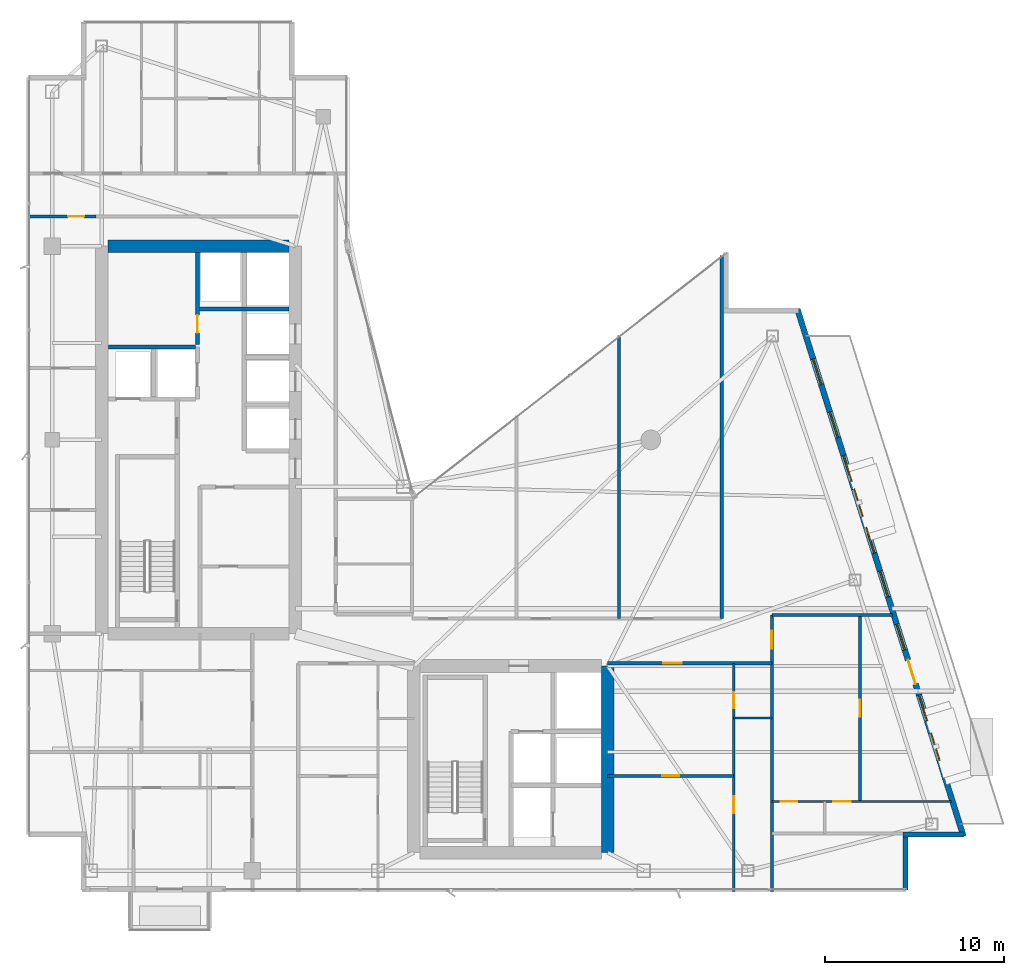
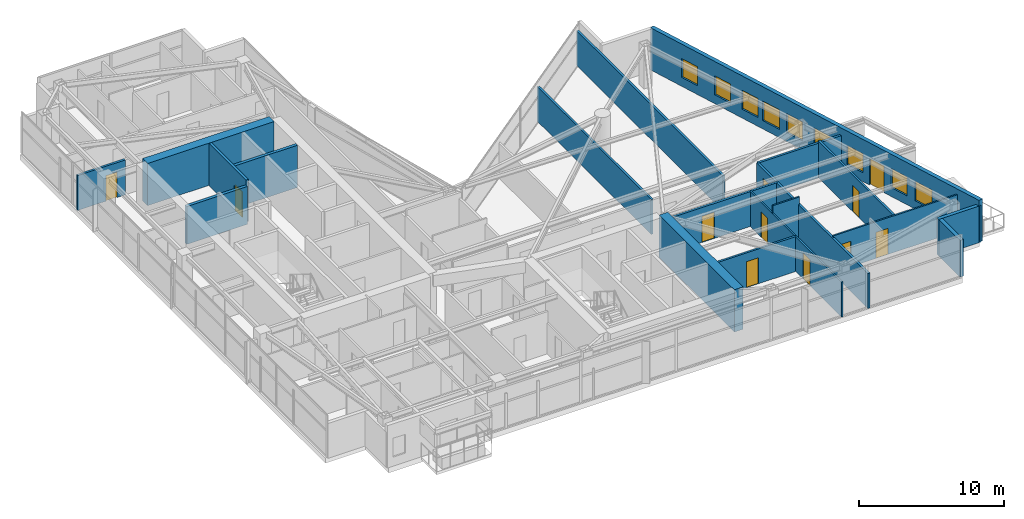
# One storey, part 25 of 29: 19 walls, 11 doors, 9 windows, 20 openings.
"""IFC4 building model written with IfcOpenShell, lengths in metres."""

from ifc_helpers import new_model, si_unit, direction, frame, frame_2d, origin, place, context, subcontext, project, spatial, rectangle, extrude, material, layer, layer_set, type_object, element, fill, save


model = new_model("IFC4")

# Units and contexts
model_context = context("Model", 3, precision=1e-05, world=origin(), true_north=direction((0.0, 1.0)))
body_context = subcontext(model_context, "Body", "Model", "MODEL_VIEW")
ifc_project = project(units=[si_unit("LENGTHUNIT", "METRE"), si_unit("AREAUNIT", "SQUARE_METRE"), si_unit("VOLUMEUNIT", "CUBIC_METRE"), si_unit("PLANEANGLEUNIT", "RADIAN"), si_unit("MASSUNIT", "GRAM", prefix="KILO")], contexts=[model_context])

# Site, building, storey
site_placement = place(None, origin())
site = spatial("IfcSite", under=ifc_project, at=site_placement, CompositionType="ELEMENT")
building_placement = place(site_placement, origin())
building = spatial("IfcBuilding", under=site, at=building_placement, Name="Calvorn Quay Hotel", CompositionType="ELEMENT")
storey_placement = place(building_placement, frame((0.0, 0.0, 199.60009765625)))
storey = spatial("IfcBuildingStorey", under=building, at=storey_placement, Name="L49", CompositionType="ELEMENT", Elevation=199.60009765625)

# Walls
ifc_material_1 = material(Name="Concrete C45", Category="concrete")
ifc_layer_1 = layer(ifc_material_1, 0.699951171875)
ifc_layer_set_1 = layer_set([ifc_layer_1], Name="WL-CORE-700")
wall_type_1 = type_object("IfcWallType", Name="WL-CORE-700", PredefinedType="SHEAR", material=ifc_layer_set_1)
wall_1_placement = place(storey_placement, frame((4.550048828125, 38.39990234375, 0.0), z_axis=(0.0, 0.0, 1.0), x_axis=(1.0, 0.0, 0.0)))
element("IfcWall", 1, at=wall_1_placement, inside=storey, type_object=wall_type_1, Name="West Core Shear Wall N (L49)", PredefinedType="SHEAR", context=body_context, shape_type="SweptSolid", body=[
    extrude(rectangle(XDim=10.099853515625, YDim=0.699951171875, at=frame_2d((5.0498046875, 0.0))), origin(), (0.0, 0.0, 1.0), 3.559814453125),
])
wall_2_placement = place(storey_placement, frame((32.39990234375, 4.60009765625, 0.0), z_axis=(0.0, 0.0, 1.0), x_axis=(0.0, 1.0, 0.0)))
element("IfcWall", 2, at=wall_2_placement, inside=storey, type_object=wall_type_1, Name="East Core Shear Wall E (L49)", PredefinedType="SHEAR", context=body_context, shape_type="SweptSolid", body=[
    extrude(rectangle(XDim=10.39990234375, YDim=0.699951171875, at=frame_2d((5.199951171875, 0.0))), origin(), (0.0, 0.0, 1.0), 3.559814453125),
])

# Wall, opening, door
ifc_material_2 = material(Name="Acoustic Fireboard Steel-Stud Partition", Category="steel")
ifc_layer_2 = layer(ifc_material_2, 0.179931640625)
ifc_layer_set_2 = layer_set([ifc_layer_2], Name="WL-CORR-FIRE-180")
wall_type_2 = type_object("IfcWallType", Name="WL-CORR-FIRE-180", PredefinedType="PARTITIONING", material=ifc_layer_set_2)
wall_3_placement = place(storey_placement, frame((0.080078125, 40.050048828125, 0.0), z_axis=(0.0, 0.0, 1.0), x_axis=(1.0, 0.0, 0.0)))
wall_3 = element("IfcWall", 3, at=wall_3_placement, inside=storey, type_object=wall_type_2, Name="Partition Wall L49-WL-WBAY-N-DOOR", PredefinedType="PARTITIONING", context=body_context, shape_type="SweptSolid", body=[
    extrude(rectangle(XDim=3.7998046875, YDim=0.179931640625, at=frame_2d((1.89990234375, 0.0))), origin(), (0.0, 0.0, 1.0), 2.93994140625),
])
opening_1_placement = place(wall_3_placement, frame((2.25, 0.0, 0.0)))
opening_1 = element("IfcOpeningElement", 4, at=opening_1_placement, cuts=wall_3, Name="Opening D-L49-WBN", PredefinedType="OPENING", context=body_context, shape_type="SweptSolid", body=[
    extrude(rectangle(XDim=0.89990234375, YDim=2.14990234375, at=frame_2d((0.449951171875, 1.074951171875))), frame((0.0, 0.099853515625, 0.0), z_axis=(0.0, -1.0, 0.0), x_axis=(1.0, 0.0, 0.0)), (0.0, 0.0, 1.0), 0.199951171875),
])
ifc_material_3 = material(Name="Moisture-Sealed Timber En-Suite Door", Category="wood")
door_type_1 = type_object("IfcDoorType", Name="DR-ENSUITE-900", OperationType="NOTDEFINED", PredefinedType="DOOR", material=ifc_material_3)
door_1_placement = place(opening_1_placement, origin())
door_1 = element("IfcDoor", 5, at=door_1_placement, inside=storey, type_object=door_type_1, Name="West North Bay Door (L49)", OperationType="SINGLE_SWING_LEFT", OverallHeight=2.14990234375, OverallWidth=0.89990234375, PredefinedType="DOOR", context=body_context, shape_type="SweptSolid", body=[
    extrude(rectangle(XDim=0.89990234375, YDim=2.14990234375, at=frame_2d((0.449951171875, 1.074951171875))), frame((0.0, 0.02490234375, 0.0), z_axis=(0.0, -1.0, 0.0), x_axis=(1.0, 0.0, 0.0)), (0.0, 0.0, 1.0), 0.050048828125),
])
fill(opening_1, door_1)

wall_4_placement = place(storey_placement, frame((32.39990234375, 15.14990234375, 0.0), z_axis=(0.0, 0.0, 1.0), x_axis=(1.0, 0.0, 0.0)))
wall_4 = element("IfcWall", 6, at=wall_4_placement, inside=storey, type_object=wall_type_2, Name="Partition Wall L49-WL-CORR-SE-S", PredefinedType="PARTITIONING", context=body_context, shape_type="SweptSolid", body=[
    extrude(rectangle(XDim=9.150146484375, YDim=0.179931640625, at=frame_2d((4.5751953125, 0.0))), origin(), (0.0, 0.0, 1.0), 2.93994140625),
])
opening_2_placement = place(wall_4_placement, frame((3.10009765625, 0.0, 0.0)))
opening_2 = element("IfcOpeningElement", 7, at=opening_2_placement, cuts=wall_4, Name="Opening D-L49-U06", PredefinedType="OPENING", context=body_context, shape_type="SweptSolid", body=[
    extrude(rectangle(XDim=1.02001953125, YDim=2.199951171875, at=frame_2d((0.510009765625, 1.10009765625))), frame((0.0, 0.099853515625, 0.0), z_axis=(0.0, -1.0, 0.0), x_axis=(1.0, 0.0, 0.0)), (0.0, 0.0, 1.0), 0.199951171875),
])
ifc_material_4 = material(Name="Solid-Core Walnut Veneer Hotel Fire Door")
door_type_2 = type_object("IfcDoorType", Name="DR-GUEST-ENTRY-1020", OperationType="NOTDEFINED", PredefinedType="DOOR", material=ifc_material_4)
door_2_placement = place(opening_2_placement, origin())
door_2 = element("IfcDoor", 8, at=door_2_placement, inside=storey, type_object=door_type_2, Name="South-East Unit Door U06 (L49)", OperationType="SINGLE_SWING_LEFT", OverallHeight=2.199951171875, OverallWidth=1.02001953125, PredefinedType="DOOR", context=body_context, shape_type="SweptSolid", body=[
    extrude(rectangle(XDim=1.02001953125, YDim=2.199951171875, at=frame_2d((0.510009765625, 1.10009765625))), frame((0.0, 0.02490234375, 0.0), z_axis=(0.0, -1.0, 0.0), x_axis=(1.0, 0.0, 0.0)), (0.0, 0.0, 1.0), 0.050048828125),
])
fill(opening_2, door_2)

# Walls
wall_5_placement = place(storey_placement, frame((38.75, 17.64990234375, 0.0), z_axis=(0.0, 0.0, 1.0), x_axis=(0.0, 1.0, 0.0)))
element("IfcWall", 9, at=wall_5_placement, inside=storey, type_object=wall_type_2, Name="Partition Wall L49-WL-NE-END-E", PredefinedType="PARTITIONING", context=body_context, shape_type="SweptSolid", body=[
    extrude(rectangle(XDim=20.22998046875, YDim=0.179931640625, at=frame_2d((10.114990234375, 0.0))), origin(), (0.0, 0.0, 1.0), 2.93994140625),
])
wall_6_placement = place(storey_placement, frame((41.550048828125, 17.85009765625, 0.0), z_axis=(0.0, 0.0, 1.0), x_axis=(1.0, 0.0, 0.0)))
element("IfcWall", 10, at=wall_6_placement, inside=storey, type_object=wall_type_2, Name="Partition Wall L49-WL-TIP-DIV", PredefinedType="PARTITIONING", context=body_context, shape_type="SweptSolid", body=[
    extrude(rectangle(XDim=6.72998046875, YDim=0.179931640625, at=frame_2d((3.364990234375, 0.0))), origin(), (0.0, 0.0, 1.0), 2.93994140625),
])

# Wall, opening, door
wall_7_placement = place(storey_placement, frame((41.550048828125, 2.43994140625, 0.0), z_axis=(0.0, 0.0, 1.0), x_axis=(0.0, 1.0, 0.0)))
wall_7 = element("IfcWall", 11, at=wall_7_placement, inside=storey, type_object=wall_type_2, Name="Partition Wall L49-WL-CORR-TIP-E1", PredefinedType="PARTITIONING", context=body_context, shape_type="SweptSolid", body=[
    extrude(rectangle(XDim=15.41015625, YDim=0.179931640625, at=frame_2d((7.705078125, 0.0))), origin(), (0.0, 0.0, 1.0), 2.93994140625),
])
opening_3_placement = place(wall_7_placement, frame((13.510009765625, 0.0, 0.0)))
opening_3 = element("IfcOpeningElement", 12, at=opening_3_placement, cuts=wall_7, Name="Opening D-L49-U07", PredefinedType="OPENING", context=body_context, shape_type="SweptSolid", body=[
    extrude(rectangle(XDim=1.02001953125, YDim=2.199951171875, at=frame_2d((0.510009765625, 1.10009765625))), frame((0.0, 0.099853515625, 0.0), z_axis=(0.0, -1.0, 0.0), x_axis=(1.0, 0.0, 0.0)), (0.0, 0.0, 1.0), 0.199951171875),
])
door_3_placement = place(opening_3_placement, origin())
door_3 = element("IfcDoor", 13, at=door_3_placement, inside=storey, type_object=door_type_2, Name="Terrace Suite Door U07 (L49)", OperationType="SINGLE_SWING_LEFT", OverallHeight=2.199951171875, OverallWidth=1.02001953125, PredefinedType="DOOR", context=body_context, shape_type="SweptSolid", body=[
    extrude(rectangle(XDim=1.02001953125, YDim=2.199951171875, at=frame_2d((0.510009765625, 1.10009765625))), frame((0.0, 0.02490234375, 0.0), z_axis=(0.0, -1.0, 0.0), x_axis=(1.0, 0.0, 0.0)), (0.0, 0.0, 1.0), 0.050048828125),
])
fill(opening_3, door_3)

# Wall
ifc_material_5 = material(Name="Moisture-Resistant Tile-Backed Partition")
ifc_layer_3 = layer(ifc_material_5, 0.125)
ifc_layer_set_3 = layer_set([ifc_layer_3], Name="WL-ENSUITE-125")
wall_type_3 = type_object("IfcWallType", Name="WL-ENSUITE-125", PredefinedType="PARTITIONING", material=ifc_layer_set_3)
wall_8_placement = place(storey_placement, frame((39.419921875, 12.10009765625, 0.0), z_axis=(0.0, 0.0, 1.0), x_axis=(1.0, 0.0, 0.0)))
element("IfcWall", 14, at=wall_8_placement, inside=storey, type_object=wall_type_3, Name="Partition Wall L49-WL-U06-BDV", PredefinedType="PARTITIONING", context=body_context, shape_type="SweptSolid", body=[
    extrude(rectangle(XDim=2.130126953125, YDim=0.125, at=frame_2d((1.06494140625, 0.0))), origin(), (0.0, 0.0, 1.0), 3.559814453125),
])

# Wall, openings, doors
wall_9_placement = place(storey_placement, frame((39.419921875, 2.43994140625, 0.0), z_axis=(0.0, 0.0, 1.0), x_axis=(0.0, 1.0, 0.0)))
wall_9 = element("IfcWall", 15, at=wall_9_placement, inside=storey, type_object=wall_type_3, Name="Partition Wall L49-WL-U06-BV", PredefinedType="PARTITIONING", context=body_context, shape_type="SweptSolid", body=[
    extrude(rectangle(XDim=12.7099609375, YDim=0.125, at=frame_2d((6.35498046875, 0.0))), origin(), (0.0, 0.0, 1.0), 2.93994140625),
])
opening_4_placement = place(wall_9_placement, frame((4.35009765625, 0.0, 0.0)))
opening_4 = element("IfcOpeningElement", 16, at=opening_4_placement, cuts=wall_9, Name="Opening D-L49-S06", PredefinedType="OPENING", context=body_context, shape_type="SweptSolid", body=[
    extrude(rectangle(XDim=0.9599609375, YDim=2.199951171875, at=frame_2d((0.47998046875, 1.10009765625))), frame((0.0, 0.072509765625, 0.0), z_axis=(0.0, -1.0, 0.0), x_axis=(1.0, 0.0, 0.0)), (0.0, 0.0, 1.0), 0.14501953125),
])
opening_5_placement = place(wall_9_placement, frame((10.2099609375, 0.0, 0.0)))
opening_5 = element("IfcOpeningElement", 17, at=opening_5_placement, cuts=wall_9, Name="Opening D-L49-E06", PredefinedType="OPENING", context=body_context, shape_type="SweptSolid", body=[
    extrude(rectangle(XDim=0.89990234375, YDim=2.14990234375, at=frame_2d((0.449951171875, 1.074951171875))), frame((0.0, 0.072509765625, 0.0), z_axis=(0.0, -1.0, 0.0), x_axis=(1.0, 0.0, 0.0)), (0.0, 0.0, 1.0), 0.14501953125),
])
door_4_placement = place(opening_5_placement, origin())
door_4 = element("IfcDoor", 18, at=door_4_placement, inside=storey, type_object=door_type_1, Name="En-Suite Door 06", OperationType="SINGLE_SWING_RIGHT", OverallHeight=2.14990234375, OverallWidth=0.89990234375, PredefinedType="DOOR", context=body_context, shape_type="SweptSolid", body=[
    extrude(rectangle(XDim=0.89990234375, YDim=2.14990234375, at=frame_2d((0.449951171875, 1.074951171875))), frame((0.0, 0.02490234375, 0.0), z_axis=(0.0, -1.0, 0.0), x_axis=(1.0, 0.0, 0.0)), (0.0, 0.0, 1.0), 0.050048828125),
])
fill(opening_5, door_4)
ifc_material_6 = material(Name="Solid Timber Internal Suite Door", Category="wood")
door_type_3 = type_object("IfcDoorType", Name="DR-SUITE-INT-960", OperationType="NOTDEFINED", PredefinedType="DOOR", material=ifc_material_6)
door_5_placement = place(opening_4_placement, origin())
door_5 = element("IfcDoor", 19, at=door_5_placement, inside=storey, type_object=door_type_3, Name="Executive Study Door 06", OperationType="SINGLE_SWING_LEFT", OverallHeight=2.199951171875, OverallWidth=0.9599609375, PredefinedType="DOOR", context=body_context, shape_type="SweptSolid", body=[
    extrude(rectangle(XDim=0.9599609375, YDim=2.199951171875, at=frame_2d((0.47998046875, 1.10009765625))), frame((0.0, 0.02490234375, 0.0), z_axis=(0.0, -1.0, 0.0), x_axis=(1.0, 0.0, 0.0)), (0.0, 0.0, 1.0), 0.050048828125),
])
fill(opening_4, door_5)

wall_10_placement = place(storey_placement, frame((41.550048828125, 7.449951171875, 0.0), z_axis=(0.0, 0.0, 1.0), x_axis=(1.0, 0.0, 0.0)))
wall_10 = element("IfcWall", 20, at=wall_10_placement, inside=storey, type_object=wall_type_3, Name="Partition Wall L49-WL-U07-BH", PredefinedType="PARTITIONING", context=body_context, shape_type="SweptSolid", body=[
    extrude(rectangle(XDim=10.010009765625, YDim=0.125, at=frame_2d((5.0048828125, 0.0))), origin(), (0.0, 0.0, 1.0), 3.08984375),
])
opening_6_placement = place(wall_10_placement, frame((0.5, 0.0, 0.0)))
opening_6 = element("IfcOpeningElement", 21, at=opening_6_placement, cuts=wall_10, Name="Opening D-L49-E07", PredefinedType="OPENING", context=body_context, shape_type="SweptSolid", body=[
    extrude(rectangle(XDim=0.89990234375, YDim=2.14990234375, at=frame_2d((0.449951171875, 1.074951171875))), frame((0.0, 0.072509765625, 0.0), z_axis=(0.0, -1.0, 0.0), x_axis=(1.0, 0.0, 0.0)), (0.0, 0.0, 1.0), 0.14501953125),
])
opening_7_placement = place(wall_10_placement, frame((3.419921875, 0.0, 0.0)))
opening_7 = element("IfcOpeningElement", 22, at=opening_7_placement, cuts=wall_10, Name="Opening D-L49-S07", PredefinedType="OPENING", context=body_context, shape_type="SweptSolid", body=[
    extrude(rectangle(XDim=0.9599609375, YDim=2.199951171875, at=frame_2d((0.47998046875, 1.10009765625))), frame((0.0, 0.072509765625, 0.0), z_axis=(0.0, -1.0, 0.0), x_axis=(1.0, 0.0, 0.0)), (0.0, 0.0, 1.0), 0.14501953125),
])
door_6_placement = place(opening_6_placement, origin())
door_6 = element("IfcDoor", 23, at=door_6_placement, inside=storey, type_object=door_type_1, Name="En-Suite Door 07", OperationType="SINGLE_SWING_LEFT", OverallHeight=2.14990234375, OverallWidth=0.89990234375, PredefinedType="DOOR", context=body_context, shape_type="SweptSolid", body=[
    extrude(rectangle(XDim=0.89990234375, YDim=2.14990234375, at=frame_2d((0.449951171875, 1.074951171875))), frame((0.0, 0.02490234375, 0.0), z_axis=(0.0, -1.0, 0.0), x_axis=(1.0, 0.0, 0.0)), (0.0, 0.0, 1.0), 0.050048828125),
])
fill(opening_6, door_6)
door_7_placement = place(opening_7_placement, origin())
door_7 = element("IfcDoor", 24, at=door_7_placement, inside=storey, type_object=door_type_3, Name="Executive Study Door 07", OperationType="SINGLE_SWING_RIGHT", OverallHeight=2.199951171875, OverallWidth=0.9599609375, PredefinedType="DOOR", context=body_context, shape_type="SweptSolid", body=[
    extrude(rectangle(XDim=0.9599609375, YDim=2.199951171875, at=frame_2d((0.47998046875, 1.10009765625))), frame((0.0, 0.02490234375, 0.0), z_axis=(0.0, -1.0, 0.0), x_axis=(1.0, 0.0, 0.0)), (0.0, 0.0, 1.0), 0.050048828125),
])
fill(opening_7, door_7)

# Walls
ifc_material_7 = material(Name="Concrete C40", Category="concrete")
ifc_layer_4 = layer(ifc_material_7, 0.320068359375)
ifc_layer_set_4 = layer_set([ifc_layer_4], Name="WL-EXT-SPANDREL-320")
wall_type_4 = type_object("IfcWallType", Name="WL-EXT-SPANDREL-320", PredefinedType="SOLIDWALL", material=ifc_layer_set_4)
wall_11_placement = place(storey_placement, frame((49.0, 2.52001953125, 0.0), z_axis=(0.0, 0.0, 1.0), x_axis=(0.0, 1.0, 0.0)))
element("IfcWall", 25, at=wall_11_placement, inside=storey, type_object=wall_type_4, Name="Notched Corner Spandrel L49-SE1", PredefinedType="SOLIDWALL", context=body_context, shape_type="SweptSolid", body=[
    extrude(rectangle(XDim=2.93994140625, YDim=0.280029296875, at=frame_2d((1.469970703125, 0.0))), origin(), (0.0, 0.0, 1.0), 3.08984375),
])
wall_12_placement = place(storey_placement, frame((48.860107421875, 5.60009765625, 0.0), z_axis=(0.0, 0.0, 1.0), x_axis=(1.0, 0.0, 0.0)))
element("IfcWall", 26, at=wall_12_placement, inside=storey, type_object=wall_type_4, Name="Notched Corner Spandrel L49-SE2", PredefinedType="SOLIDWALL", context=body_context, shape_type="SweptSolid", body=[
    extrude(rectangle(XDim=3.3798828125, YDim=0.280029296875, at=frame_2d((1.68994140625, 0.0))), origin(), (0.0, 0.0, 1.0), 3.08984375),
])

# Wall, openings, door, windows
wall_13_placement = place(storey_placement, frame((52.22998046875, 5.5048828125, 0.0), z_axis=(0.0, 0.0, 1.0), x_axis=(-0.300509063924, 0.953778958931, 0.0)))
wall_13 = element("IfcWall", 27, at=wall_13_placement, inside=storey, type_object=wall_type_4, Name="East Stepped Waterfront Exterior Wall (L49)", PredefinedType="SOLIDWALL", context=body_context, shape_type="SweptSolid", body=[
    extrude(rectangle(XDim=30.814453125, YDim=0.320068359375, at=frame_2d((15.4072265625, 0.0))), origin(), (0.0, 0.0, 1.0), 3.559814453125),
])
opening_8_placement = place(wall_13_placement, frame((8.89990234375, 0.0, 0.0)))
opening_8 = element("IfcOpeningElement", 28, at=opening_8_placement, cuts=wall_13, Name="Opening DTR-L49", PredefinedType="OPENING", context=body_context, shape_type="SweptSolid", body=[
    extrude(rectangle(XDim=1.39990234375, YDim=2.25, at=frame_2d((0.699951171875, 1.125))), frame((0.0, 0.169921875, 0.0), z_axis=(0.0, -1.0, 0.0), x_axis=(1.0, 0.0, 0.0)), (0.0, 0.0, 1.0), 0.340087890625),
])
opening_9_placement = place(wall_13_placement, frame((4.43701171875, 0.0, 0.699951171875)))
opening_9 = element("IfcOpeningElement", 29, at=opening_9_placement, cuts=wall_13, Name="Opening WHD-L49-1", PredefinedType="OPENING", context=body_context, shape_type="SweptSolid", body=[
    extrude(rectangle(XDim=1.60009765625, YDim=1.64990234375, at=frame_2d((0.800048828125, 0.824951171875))), frame((0.0, 0.169921875, 0.0), z_axis=(0.0, -1.0, 0.0), x_axis=(1.0, 0.0, 0.0)), (0.0, 0.0, 1.0), 0.340087890625),
])
opening_10_placement = place(wall_13_placement, frame((18.696044921875, 0.0, 0.699951171875)))
opening_10 = element("IfcOpeningElement", 30, at=opening_10_placement, cuts=wall_13, Name="Opening WHD-L49-2", PredefinedType="OPENING", context=body_context, shape_type="SweptSolid", body=[
    extrude(rectangle(XDim=1.60009765625, YDim=1.64990234375, at=frame_2d((0.800048828125, 0.824951171875))), frame((0.0, 0.169921875, 0.0), z_axis=(0.0, -1.0, 0.0), x_axis=(1.0, 0.0, 0.0)), (0.0, 0.0, 1.0), 0.340087890625),
])
opening_11_placement = place(wall_13_placement, frame((6.75, 0.0, 0.75)))
opening_11 = element("IfcOpeningElement", 31, at=opening_11_placement, cuts=wall_13, Name="Opening WG-L49-E1", PredefinedType="OPENING", context=body_context, shape_type="SweptSolid", body=[
    extrude(rectangle(XDim=1.5, YDim=1.60009765625, at=frame_2d((0.75, 0.800048828125))), frame((0.0, 0.169921875, 0.0), z_axis=(0.0, -1.0, 0.0), x_axis=(1.0, 0.0, 0.0)), (0.0, 0.0, 1.0), 0.340087890625),
])
opening_12_placement = place(wall_13_placement, frame((10.89990234375, 0.0, 0.75)))
opening_12 = element("IfcOpeningElement", 32, at=opening_12_placement, cuts=wall_13, Name="Opening WG-L49-E2", PredefinedType="OPENING", context=body_context, shape_type="SweptSolid", body=[
    extrude(rectangle(XDim=1.5, YDim=1.60009765625, at=frame_2d((0.75, 0.800048828125))), frame((0.0, 0.169921875, 0.0), z_axis=(0.0, -1.0, 0.0), x_axis=(1.0, 0.0, 0.0)), (0.0, 0.0, 1.0), 0.340087890625),
])
opening_13_placement = place(wall_13_placement, frame((14.0, 0.0, 0.75)))
opening_13 = element("IfcOpeningElement", 33, at=opening_13_placement, cuts=wall_13, Name="Opening WG-L49-E3", PredefinedType="OPENING", context=body_context, shape_type="SweptSolid", body=[
    extrude(rectangle(XDim=1.5, YDim=1.60009765625, at=frame_2d((0.75, 0.800048828125))), frame((0.0, 0.169921875, 0.0), z_axis=(0.0, -1.0, 0.0), x_axis=(1.0, 0.0, 0.0)), (0.0, 0.0, 1.0), 0.340087890625),
])
opening_14_placement = place(wall_13_placement, frame((16.550048828125, 0.0, 0.75)))
opening_14 = element("IfcOpeningElement", 34, at=opening_14_placement, cuts=wall_13, Name="Opening WG-L49-E4", PredefinedType="OPENING", context=body_context, shape_type="SweptSolid", body=[
    extrude(rectangle(XDim=1.5, YDim=1.60009765625, at=frame_2d((0.75, 0.800048828125))), frame((0.0, 0.169921875, 0.0), z_axis=(0.0, -1.0, 0.0), x_axis=(1.0, 0.0, 0.0)), (0.0, 0.0, 1.0), 0.340087890625),
])
opening_15_placement = place(wall_13_placement, frame((20.75, 0.0, 0.75)))
opening_15 = element("IfcOpeningElement", 35, at=opening_15_placement, cuts=wall_13, Name="Opening WG-L49-E5", PredefinedType="OPENING", context=body_context, shape_type="SweptSolid", body=[
    extrude(rectangle(XDim=1.5, YDim=1.60009765625, at=frame_2d((0.75, 0.800048828125))), frame((0.0, 0.169921875, 0.0), z_axis=(0.0, -1.0, 0.0), x_axis=(1.0, 0.0, 0.0)), (0.0, 0.0, 1.0), 0.340087890625),
])
opening_16_placement = place(wall_13_placement, frame((23.300048828125, 0.0, 0.75)))
opening_16 = element("IfcOpeningElement", 36, at=opening_16_placement, cuts=wall_13, Name="Opening WG-L49-E6", PredefinedType="OPENING", context=body_context, shape_type="SweptSolid", body=[
    extrude(rectangle(XDim=1.5, YDim=1.60009765625, at=frame_2d((0.75, 0.800048828125))), frame((0.0, 0.169921875, 0.0), z_axis=(0.0, -1.0, 0.0), x_axis=(1.0, 0.0, 0.0)), (0.0, 0.0, 1.0), 0.340087890625),
])
opening_17_placement = place(wall_13_placement, frame((26.39990234375, 0.0, 0.75)))
opening_17 = element("IfcOpeningElement", 37, at=opening_17_placement, cuts=wall_13, Name="Opening WG-L49-E7", PredefinedType="OPENING", context=body_context, shape_type="SweptSolid", body=[
    extrude(rectangle(XDim=1.5, YDim=1.60009765625, at=frame_2d((0.75, 0.800048828125))), frame((0.0, 0.169921875, 0.0), z_axis=(0.0, -1.0, 0.0), x_axis=(1.0, 0.0, 0.0)), (0.0, 0.0, 1.0), 0.340087890625),
])
ifc_material_8 = material(Name="Typhoon-Rated Low-E Aluminium Terrace Door", Category="aluminium")
door_type_4 = type_object("IfcDoorType", Name="DR-BALCONY-GLZ-1400", OperationType="NOTDEFINED", PredefinedType="DOOR", material=ifc_material_8)
door_8_placement = place(opening_8_placement, origin())
door_8 = element("IfcDoor", 38, at=door_8_placement, inside=storey, type_object=door_type_4, Name="Sawtooth Setback Terrace Door (L49)", OperationType="SINGLE_SWING_RIGHT", OverallHeight=2.25, OverallWidth=1.39990234375, PredefinedType="DOOR", context=body_context, shape_type="SweptSolid", body=[
    extrude(rectangle(XDim=1.39990234375, YDim=2.25, at=frame_2d((0.699951171875, 1.125))), frame((0.0, 0.02490234375, 0.0), z_axis=(0.0, -1.0, 0.0), x_axis=(1.0, 0.0, 0.0)), (0.0, 0.0, 1.0), 0.050048828125),
])
fill(opening_8, door_8)
ifc_material_9 = material(Name="Champagne-Bronze Aluminium Low-E Window", Category="aluminium")
window_type_1 = type_object("IfcWindowType", Name="WIN-GUEST-SIDE-1600x2100", PartitioningType="SINGLE_PANEL", PredefinedType="WINDOW", material=ifc_material_9)
window_1_placement = place(opening_9_placement, origin())
window_1 = element("IfcWindow", 39, at=window_1_placement, inside=storey, type_object=window_type_1, Name="Bay Hood Window L49-HOOD-1", OverallHeight=1.64990234375, OverallWidth=1.60009765625, PartitioningType="SINGLE_PANEL", PredefinedType="WINDOW", context=body_context, shape_type="SweptSolid", body=[
    extrude(rectangle(XDim=1.60009765625, YDim=1.64990234375, at=frame_2d((0.800048828125, 0.824951171875))), frame((0.0, 0.030029296875, 0.0), z_axis=(0.0, -1.0, 0.0), x_axis=(1.0, 0.0, 0.0)), (0.0, 0.0, 1.0), 0.06005859375),
])
fill(opening_9, window_1)
window_2_placement = place(opening_10_placement, origin())
window_2 = element("IfcWindow", 40, at=window_2_placement, inside=storey, type_object=window_type_1, Name="Bay Hood Window L49-HOOD-3", OverallHeight=1.64990234375, OverallWidth=1.60009765625, PartitioningType="SINGLE_PANEL", PredefinedType="WINDOW", context=body_context, shape_type="SweptSolid", body=[
    extrude(rectangle(XDim=1.60009765625, YDim=1.64990234375, at=frame_2d((0.800048828125, 0.824951171875))), frame((0.0, 0.030029296875, 0.0), z_axis=(0.0, -1.0, 0.0), x_axis=(1.0, 0.0, 0.0)), (0.0, 0.0, 1.0), 0.06005859375),
])
fill(opening_10, window_2)
ifc_material_10 = material(Name="Self-Closing Class B Fire Window")
window_type_2 = type_object("IfcWindowType", Name="WIN-REFUGE-1500x1600", PartitioningType="SINGLE_PANEL", PredefinedType="WINDOW", material=ifc_material_10)
window_3_placement = place(opening_11_placement, origin())
window_3 = element("IfcWindow", 41, at=window_3_placement, inside=storey, type_object=window_type_2, Name="East Facade Window L49-E1", OverallHeight=1.60009765625, OverallWidth=1.5, PartitioningType="SINGLE_PANEL", PredefinedType="WINDOW", context=body_context, shape_type="SweptSolid", body=[
    extrude(rectangle(XDim=1.5, YDim=1.60009765625, at=frame_2d((0.75, 0.800048828125))), frame((0.0, 0.030029296875, 0.0), z_axis=(0.0, -1.0, 0.0), x_axis=(1.0, 0.0, 0.0)), (0.0, 0.0, 1.0), 0.06005859375),
])
fill(opening_11, window_3)
window_4_placement = place(opening_12_placement, origin())
window_4 = element("IfcWindow", 42, at=window_4_placement, inside=storey, type_object=window_type_2, Name="East Facade Window L49-E2", OverallHeight=1.60009765625, OverallWidth=1.5, PartitioningType="SINGLE_PANEL", PredefinedType="WINDOW", context=body_context, shape_type="SweptSolid", body=[
    extrude(rectangle(XDim=1.5, YDim=1.60009765625, at=frame_2d((0.75, 0.800048828125))), frame((0.0, 0.030029296875, 0.0), z_axis=(0.0, -1.0, 0.0), x_axis=(1.0, 0.0, 0.0)), (0.0, 0.0, 1.0), 0.06005859375),
])
fill(opening_12, window_4)
window_5_placement = place(opening_13_placement, origin())
window_5 = element("IfcWindow", 43, at=window_5_placement, inside=storey, type_object=window_type_2, Name="East Facade Window L49-E3", OverallHeight=1.60009765625, OverallWidth=1.5, PartitioningType="SINGLE_PANEL", PredefinedType="WINDOW", context=body_context, shape_type="SweptSolid", body=[
    extrude(rectangle(XDim=1.5, YDim=1.60009765625, at=frame_2d((0.75, 0.800048828125))), frame((0.0, 0.030029296875, 0.0), z_axis=(0.0, -1.0, 0.0), x_axis=(1.0, 0.0, 0.0)), (0.0, 0.0, 1.0), 0.06005859375),
])
fill(opening_13, window_5)
window_6_placement = place(opening_14_placement, origin())
window_6 = element("IfcWindow", 44, at=window_6_placement, inside=storey, type_object=window_type_2, Name="East Facade Window L49-E4", OverallHeight=1.60009765625, OverallWidth=1.5, PartitioningType="SINGLE_PANEL", PredefinedType="WINDOW", context=body_context, shape_type="SweptSolid", body=[
    extrude(rectangle(XDim=1.5, YDim=1.60009765625, at=frame_2d((0.75, 0.800048828125))), frame((0.0, 0.030029296875, 0.0), z_axis=(0.0, -1.0, 0.0), x_axis=(1.0, 0.0, 0.0)), (0.0, 0.0, 1.0), 0.06005859375),
])
fill(opening_14, window_6)
window_7_placement = place(opening_15_placement, origin())
window_7 = element("IfcWindow", 45, at=window_7_placement, inside=storey, type_object=window_type_2, Name="East Facade Window L49-E5", OverallHeight=1.60009765625, OverallWidth=1.5, PartitioningType="SINGLE_PANEL", PredefinedType="WINDOW", context=body_context, shape_type="SweptSolid", body=[
    extrude(rectangle(XDim=1.5, YDim=1.60009765625, at=frame_2d((0.75, 0.800048828125))), frame((0.0, 0.030029296875, 0.0), z_axis=(0.0, -1.0, 0.0), x_axis=(1.0, 0.0, 0.0)), (0.0, 0.0, 1.0), 0.06005859375),
])
fill(opening_15, window_7)
window_8_placement = place(opening_16_placement, origin())
window_8 = element("IfcWindow", 46, at=window_8_placement, inside=storey, type_object=window_type_2, Name="East Facade Window L49-E6", OverallHeight=1.60009765625, OverallWidth=1.5, PartitioningType="SINGLE_PANEL", PredefinedType="WINDOW", context=body_context, shape_type="SweptSolid", body=[
    extrude(rectangle(XDim=1.5, YDim=1.60009765625, at=frame_2d((0.75, 0.800048828125))), frame((0.0, 0.030029296875, 0.0), z_axis=(0.0, -1.0, 0.0), x_axis=(1.0, 0.0, 0.0)), (0.0, 0.0, 1.0), 0.06005859375),
])
fill(opening_16, window_8)
window_9_placement = place(opening_17_placement, origin())
window_9 = element("IfcWindow", 47, at=window_9_placement, inside=storey, type_object=window_type_2, Name="East Facade Window L49-E7", OverallHeight=1.60009765625, OverallWidth=1.5, PartitioningType="SINGLE_PANEL", PredefinedType="WINDOW", context=body_context, shape_type="SweptSolid", body=[
    extrude(rectangle(XDim=1.5, YDim=1.60009765625, at=frame_2d((0.75, 0.800048828125))), frame((0.0, 0.030029296875, 0.0), z_axis=(0.0, -1.0, 0.0), x_axis=(1.0, 0.0, 0.0)), (0.0, 0.0, 1.0), 0.06005859375),
])
fill(opening_17, window_9)

# Wall, opening, door
ifc_material_11 = material(Name="Double-Stud Acoustic Gypsum Partition")
ifc_layer_5 = layer(ifc_material_11, 0.159912109375)
ifc_layer_set_5 = layer_set([ifc_layer_5], Name="WL-INTERSUITE-160")
wall_type_5 = type_object("IfcWallType", Name="WL-INTERSUITE-160", PredefinedType="PARTITIONING", material=ifc_layer_set_5)
wall_14_placement = place(storey_placement, frame((32.39990234375, 8.8798828125, 0.0), z_axis=(0.0, 0.0, 1.0), x_axis=(1.0, 0.0, 0.0)))
wall_14 = element("IfcWall", 48, at=wall_14_placement, inside=storey, type_object=wall_type_5, Name="Partition Wall L49-WL-U06-MSP", PredefinedType="PARTITIONING", context=body_context, shape_type="SweptSolid", body=[
    extrude(rectangle(XDim=7.02001953125, YDim=0.159912109375, at=frame_2d((3.510009765625, 0.0))), origin(), (0.0, 0.0, 1.0), 2.93994140625),
])
opening_18_placement = place(wall_14_placement, frame((3.030029296875, 0.0, 0.0)))
opening_18 = element("IfcOpeningElement", 49, at=opening_18_placement, cuts=wall_14, Name="Opening D-L49-M06", PredefinedType="OPENING", context=body_context, shape_type="SweptSolid", body=[
    extrude(rectangle(XDim=0.9599609375, YDim=2.199951171875, at=frame_2d((0.47998046875, 1.10009765625))), frame((0.0, 0.08984375, 0.0), z_axis=(0.0, -1.0, 0.0), x_axis=(1.0, 0.0, 0.0)), (0.0, 0.0, 1.0), 0.179931640625),
])
door_9_placement = place(opening_18_placement, origin())
door_9 = element("IfcDoor", 50, at=door_9_placement, inside=storey, type_object=door_type_3, Name="Suite Bedroom Door 06", OperationType="SINGLE_SWING_LEFT", OverallHeight=2.199951171875, OverallWidth=0.9599609375, PredefinedType="DOOR", context=body_context, shape_type="SweptSolid", body=[
    extrude(rectangle(XDim=0.9599609375, YDim=2.199951171875, at=frame_2d((0.47998046875, 1.10009765625))), frame((0.0, 0.02490234375, 0.0), z_axis=(0.0, -1.0, 0.0), x_axis=(1.0, 0.0, 0.0)), (0.0, 0.0, 1.0), 0.050048828125),
])
fill(opening_18, door_9)

# Wall
wall_15_placement = place(storey_placement, frame((33.030029296875, 17.64990234375, 0.0), z_axis=(0.0, 0.0, 1.0), x_axis=(0.0, 1.0, 0.0)))
element("IfcWall", 51, at=wall_15_placement, inside=storey, type_object=wall_type_5, Name="Partition Wall L49-WL-NE-DIV-2", PredefinedType="PARTITIONING", context=body_context, shape_type="SweptSolid", body=[
    extrude(rectangle(XDim=15.760009765625, YDim=0.159912109375, at=frame_2d((7.8798828125, 0.0))), origin(), (0.0, 0.0, 1.0), 2.93994140625),
])

# Wall, opening, door
wall_16_placement = place(storey_placement, frame((46.4599609375, 7.449951171875, 0.0), z_axis=(0.0, 0.0, 1.0), x_axis=(0.0, 1.0, 0.0)))
wall_16 = element("IfcWall", 52, at=wall_16_placement, inside=storey, type_object=wall_type_5, Name="Partition Wall L49-WL-U07-MSP", PredefinedType="PARTITIONING", context=body_context, shape_type="SweptSolid", body=[
    extrude(rectangle(XDim=10.400146484375, YDim=0.159912109375, at=frame_2d((5.2001953125, 0.0))), origin(), (0.0, 0.0, 1.0), 3.08984375),
])
opening_19_placement = place(wall_16_placement, frame((4.719970703125, 0.0, 0.0)))
opening_19 = element("IfcOpeningElement", 53, at=opening_19_placement, cuts=wall_16, Name="Opening D-L49-M07", PredefinedType="OPENING", context=body_context, shape_type="SweptSolid", body=[
    extrude(rectangle(XDim=0.9599609375, YDim=2.199951171875, at=frame_2d((0.47998046875, 1.10009765625))), frame((0.0, 0.08984375, 0.0), z_axis=(0.0, -1.0, 0.0), x_axis=(1.0, 0.0, 0.0)), (0.0, 0.0, 1.0), 0.179931640625),
])
door_10_placement = place(opening_19_placement, origin())
door_10 = element("IfcDoor", 54, at=door_10_placement, inside=storey, type_object=door_type_3, Name="Suite Bedroom Door 07", OperationType="SINGLE_SWING_LEFT", OverallHeight=2.199951171875, OverallWidth=0.9599609375, PredefinedType="DOOR", context=body_context, shape_type="SweptSolid", body=[
    extrude(rectangle(XDim=0.9599609375, YDim=2.199951171875, at=frame_2d((0.47998046875, 1.10009765625))), frame((0.0, 0.02490234375, 0.0), z_axis=(0.0, -1.0, 0.0), x_axis=(1.0, 0.0, 0.0)), (0.0, 0.0, 1.0), 0.050048828125),
])
fill(opening_19, door_10)

ifc_material_12 = material(Name="Autoclaved Aerated Masonry Block", Category="masonry")
ifc_layer_6 = layer(ifc_material_12, 0.219970703125)
ifc_layer_set_6 = layer_set([ifc_layer_6], Name="WL-LOBBY-FIRE-220")
wall_type_6 = type_object("IfcWallType", Name="WL-LOBBY-FIRE-220", PredefinedType="SOLIDWALL", material=ifc_layer_set_6)
wall_17_placement = place(storey_placement, frame((9.5400390625, 32.919921875, 0.0), z_axis=(0.0, 0.0, 1.0), x_axis=(0.0, 1.0, 0.0)))
wall_17 = element("IfcWall", 55, at=wall_17_placement, inside=storey, type_object=wall_type_6, Name="Partition Wall L49-WL-CWW-K-E", PredefinedType="SOLIDWALL", context=body_context, shape_type="SweptSolid", body=[
    extrude(rectangle(XDim=5.110107421875, YDim=0.219970703125, at=frame_2d((2.55517578125, 0.0))), origin(), (0.0, 0.0, 1.0), 3.559814453125),
])
opening_20_placement = place(wall_17_placement, frame((0.64990234375, 0.0, 0.0)))
opening_20 = element("IfcOpeningElement", 56, at=opening_20_placement, cuts=wall_17, Name="Opening D-L49-CK1", PredefinedType="OPENING", context=body_context, shape_type="SweptSolid", body=[
    extrude(rectangle(XDim=0.97998046875, YDim=2.14990234375, at=frame_2d((0.489990234375, 1.074951171875))), frame((0.0, 0.119873046875, 0.0), z_axis=(0.0, -1.0, 0.0), x_axis=(1.0, 0.0, 0.0)), (0.0, 0.0, 1.0), 0.239990234375),
])
ifc_material_13 = material(Name="Painted Steel Housekeeping/Riser Fire Door", Category="steel")
door_type_5 = type_object("IfcDoorType", Name="DR-SERVICE-980", OperationType="NOTDEFINED", PredefinedType="DOOR", material=ifc_material_13)
door_11_placement = place(opening_20_placement, origin())
door_11 = element("IfcDoor", 57, at=door_11_placement, inside=storey, type_object=door_type_5, Name="Core Linen Room Door (L49)", OperationType="SINGLE_SWING_LEFT", OverallHeight=2.14990234375, OverallWidth=0.97998046875, PredefinedType="DOOR", context=body_context, shape_type="SweptSolid", body=[
    extrude(rectangle(XDim=0.97998046875, YDim=2.14990234375, at=frame_2d((0.489990234375, 1.074951171875))), frame((0.0, 0.02490234375, 0.0), z_axis=(0.0, -1.0, 0.0), x_axis=(1.0, 0.0, 0.0)), (0.0, 0.0, 1.0), 0.050048828125),
])
fill(opening_20, door_11)

# Walls
ifc_material_14 = material(Name="Concrete C40", Category="concrete")
ifc_layer_7 = layer(ifc_material_14, 0.239990234375)
ifc_layer_set_7 = layer_set([ifc_layer_7], Name="WL-SHAFT-240")
wall_type_7 = type_object("IfcWallType", Name="WL-SHAFT-240", PredefinedType="SOLIDWALL", material=ifc_layer_set_7)
wall_18_placement = place(storey_placement, frame((4.570068359375, 32.780029296875, 0.0), z_axis=(0.0, 0.0, 1.0), x_axis=(1.0, 0.0, 0.0)))
element("IfcWall", 58, at=wall_18_placement, inside=storey, type_object=wall_type_7, Name="Partition Wall L49-WL-CWW-SLW-N", PredefinedType="SOLIDWALL", context=body_context, shape_type="SweptSolid", body=[
    extrude(rectangle(XDim=4.849853515625, YDim=0.239990234375, at=frame_2d((2.4248046875, 0.0))), origin(), (0.0, 0.0, 1.0), 3.18994140625),
])
wall_19_placement = place(storey_placement, frame((9.659912109375, 34.89990234375, 0.0), z_axis=(0.0, 0.0, 1.0), x_axis=(1.0, 0.0, 0.0)))
element("IfcWall", 59, at=wall_19_placement, inside=storey, type_object=wall_type_7, Name="Partition Wall L49-WL-CWW-PLH-S", PredefinedType="SOLIDWALL", context=body_context, shape_type="SweptSolid", body=[
    extrude(rectangle(XDim=4.969970703125, YDim=0.239990234375, at=frame_2d((2.48486328125, 0.0))), origin(), (0.0, 0.0, 1.0), 3.559814453125),
])

save(model, "model.ifc")
